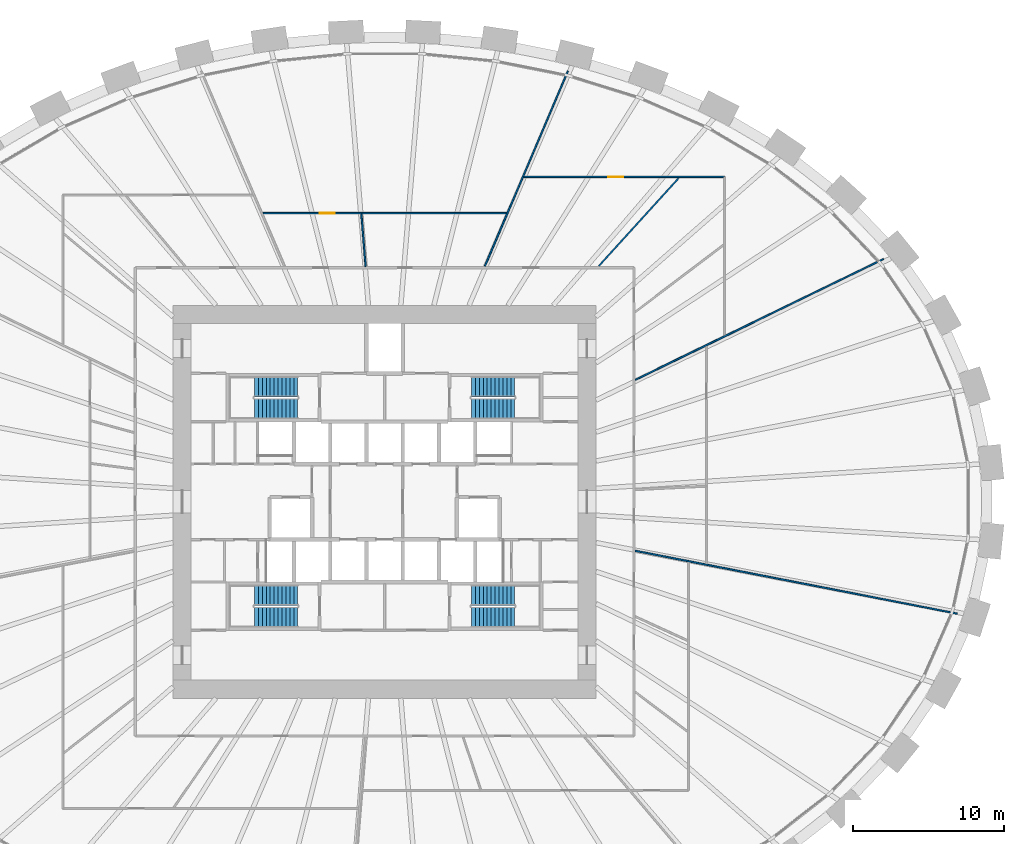
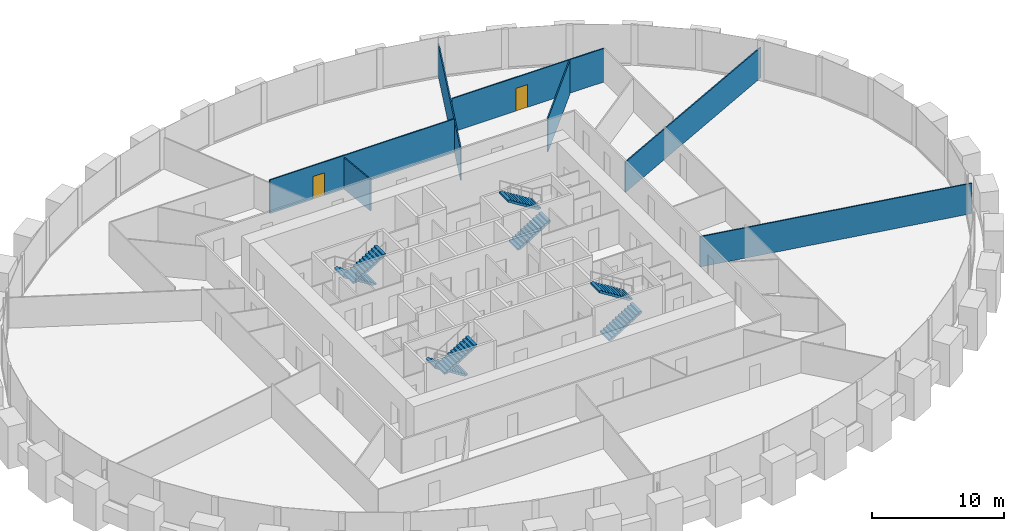
# One storey, part 10 of 11: 8 stair flights, 7 walls, 2 doors, 2 openings, 4 elements without a shape of their own.
"""IFC4 building model written with IfcOpenShell, lengths in metres."""

import ifcopenshell
import ifcopenshell.guid

model = None  # the IFC model being written
_history = None  # IfcOwnerHistory: only IFC2X3 demands one
_inside = {}  # id of a spatial element -> (the spatial element, [elements in it])
_under = {}  # id of a project, library or spatial element -> (it, [spatial elements below it])
_declared = {}  # id of a project -> (the project, [libraries it declares])
_typed = {}  # id of a type object -> (the type object, [elements of that type])
_made_of = {}  # id of a material, layer set ... -> (it, [elements and type objects made of it])


def new_model(schema):
    """Start an empty IFC model of exactly this schema.

    Asked for "IFC4X3", IfcOpenShell would pick the latest addendum, in which some entities
    have other attributes; the version numbers below select the first issue.
    IFC2X3 requires an IfcOwnerHistory on every rooted entity: one is made here for all.
    """
    global model, _history
    if schema == "IFC4X3":
        model = ifcopenshell.file(schema_version=(4, 3, 0, 0))
    else:
        model = ifcopenshell.file(schema=schema)
    _inside.clear()
    _under.clear()
    _declared.clear()
    _typed.clear()
    _made_of.clear()
    _history = None
    if model.schema == "IFC2X3":
        org = make("IfcOrganization", Name="unknown")
        user = make(
            "IfcPersonAndOrganization",
            ThePerson=make("IfcPerson", FamilyName="unknown"),
            TheOrganization=org,
        )
        app = make(
            "IfcApplication",
            ApplicationDeveloper=org,
            Version="unknown",
            ApplicationFullName="unknown",
            ApplicationIdentifier="unknown",
        )
        _history = make(
            "IfcOwnerHistory",
            OwningUser=user,
            OwningApplication=app,
            ChangeAction="ADDED",
            CreationDate=0,
        )
    return model


def make(cls, **values):
    """One entity of the class cls with the attributes given. An attribute that is None is left unset."""
    return model.create_entity(
        cls, **{name: value for name, value in values.items() if value is not None}
    )


def rooted(cls, **values):
    """An entity with a GlobalId (a new one), such as an element, a storey or a relation."""
    return make(cls, GlobalId=ifcopenshell.guid.new(), OwnerHistory=_history, **values)


def si_unit(unit_type, name, prefix=None):
    """IfcSIUnit, for example si_unit("LENGTHUNIT", "METRE", prefix="MILLI")."""
    return make("IfcSIUnit", UnitType=unit_type, Prefix=prefix, Name=name)


def assignment(units):
    """IfcUnitAssignment: the units of a project."""
    return None if units is None else make("IfcUnitAssignment", Units=units)


def point(xyz):
    """IfcCartesianPoint."""
    return None if xyz is None else make("IfcCartesianPoint", Coordinates=xyz)


def direction(xyz):
    """IfcDirection."""
    return None if xyz is None else make("IfcDirection", DirectionRatios=xyz)


def frame(location, z_axis=None, x_axis=None):
    """IfcAxis2Placement3D, a coordinate frame: its origin and axes. An axis left out is left unset."""
    return make(
        "IfcAxis2Placement3D",
        Location=point(location),
        Axis=direction(z_axis),
        RefDirection=direction(x_axis),
    )


def frame_2d(location, x_axis=None):
    """IfcAxis2Placement2D, a coordinate frame in the plane: its origin and x axis."""
    return make(
        "IfcAxis2Placement2D", Location=point(location), RefDirection=direction(x_axis)
    )


def origin():
    """The frame at (0, 0, 0) with its axes left unset."""
    return frame((0.0, 0.0, 0.0))


def place(relative_to, where):
    """IfcLocalPlacement: puts the frame where relative to a parent placement (None: the world)."""
    return make(
        "IfcLocalPlacement", PlacementRelTo=relative_to, RelativePlacement=where
    )


def context(
    kind, dimensions, precision=None, world=None, true_north=None, identifier=None
):
    """IfcGeometricRepresentationContext, for example the 3D "Model" context."""
    return make(
        "IfcGeometricRepresentationContext",
        ContextIdentifier=identifier,
        ContextType=kind,
        CoordinateSpaceDimension=dimensions,
        Precision=precision,
        WorldCoordinateSystem=world,
        TrueNorth=true_north,
    )


def subcontext(parent, identifier, kind, view, scale=None):
    """IfcGeometricRepresentationSubContext, for example "Body" below "Model"."""
    return make(
        "IfcGeometricRepresentationSubContext",
        ContextIdentifier=identifier,
        ContextType=kind,
        ParentContext=parent,
        TargetScale=scale,
        TargetView=view,
    )


def project(units=None, contexts=None):
    """IfcProject with its units and contexts."""
    return rooted(
        "IfcProject",
        Name="project",
        RepresentationContexts=contexts,
        UnitsInContext=assignment(units),
    )


def spatial(cls, under=None, at=None, **own):
    """A site, building, storey or space (cls), placed at a placement, below another one or the project."""
    s = rooted(cls, ObjectPlacement=at, **own)
    if under is not None:
        _under.setdefault(under.id(), (under, []))[1].append(s)
    return s


def polyline(points):
    """IfcPolyline through the points."""
    return make("IfcPolyline", Points=[point(p) for p in points])


def profile(cls, at=None, kind="AREA", **sizes):
    """A parametric profile (cls). Its sizes go by their IFC names, for example OverallWidth=200.0."""
    return make(cls, ProfileType=kind, Position=at, **sizes)


def rectangle(**sizes):
    """IfcRectangleProfileDef."""
    return profile("IfcRectangleProfileDef", **sizes)


def outline(outer, holes=None, kind="AREA"):
    """IfcArbitraryClosedProfileDef: a profile drawn as a closed curve; with holes, ...WithVoids."""
    if holes is None:
        return make("IfcArbitraryClosedProfileDef", ProfileType=kind, OuterCurve=outer)
    return make(
        "IfcArbitraryProfileDefWithVoids",
        ProfileType=kind,
        OuterCurve=outer,
        InnerCurves=holes,
    )


def extrude(swept, where, along, depth):
    """IfcExtrudedAreaSolid: the profile swept, set in the frame where, extruded along a direction by depth."""
    return make(
        "IfcExtrudedAreaSolid",
        SweptArea=swept,
        Position=where,
        ExtrudedDirection=direction(along),
        Depth=depth,
    )


def shape(context_of_items, identifier, shape_type, items):
    """IfcShapeRepresentation: the items that make up one representation, for example the "Body"."""
    return make(
        "IfcShapeRepresentation",
        ContextOfItems=context_of_items,
        RepresentationIdentifier=identifier,
        RepresentationType=shape_type,
        Items=items,
    )


def source(mapping_origin, context_of_items, identifier, shape_type, items):
    """IfcRepresentationMap: a shape defined once, which mapped items show again and again."""
    return make(
        "IfcRepresentationMap",
        MappingOrigin=mapping_origin,
        MappedRepresentation=shape(context_of_items, identifier, shape_type, items),
    )


def transform(
    local_origin,
    x_axis=None,
    y_axis=None,
    z_axis=None,
    scale=None,
    scale2=None,
    scale3=None,
    uniform=True,
):
    """IfcCartesianTransformationOperator3D, or its non-uniform kind. x_axis, y_axis, z_axis: its Axis1, 2, 3."""
    if uniform:
        return make(
            "IfcCartesianTransformationOperator3D",
            Axis1=direction(x_axis),
            Axis2=direction(y_axis),
            LocalOrigin=point(local_origin),
            Scale=scale,
            Axis3=direction(z_axis),
        )
    return make(
        "IfcCartesianTransformationOperator3DnonUniform",
        Axis1=direction(x_axis),
        Axis2=direction(y_axis),
        LocalOrigin=point(local_origin),
        Scale=scale,
        Axis3=direction(z_axis),
        Scale2=scale2,
        Scale3=scale3,
    )


def mapped(mapping_source, mapping_target):
    """IfcMappedItem: shows the shape of a source again, moved by a transform."""
    return make(
        "IfcMappedItem", MappingSource=mapping_source, MappingTarget=mapping_target
    )


def material(Name=None, Category=None):
    """IfcMaterial."""
    return make("IfcMaterial", Name=Name, Category=Category)


def layer(
    of_material, thickness, ventilated=None, Name=None, Category=None, Priority=None
):
    """IfcMaterialLayer: one layer of a wall or slab, of a material (None: an air gap)."""
    return make(
        "IfcMaterialLayer",
        Material=of_material,
        LayerThickness=thickness,
        IsVentilated=ventilated,
        Name=Name,
        Category=Category,
        Priority=Priority,
    )


def layer_set(layers, Name=None):
    """IfcMaterialLayerSet."""
    return make("IfcMaterialLayerSet", MaterialLayers=layers, LayerSetName=Name)


def made_of(thing, what):
    """Note that an element or type object is made of a material, layer set ...; save() writes the relation."""
    if what is not None:
        _made_of.setdefault(what.id(), (what, []))[1].append(thing)
    return thing


def type_object(cls, material=None, **own):
    """A type object (cls), such as IfcWallType, which elements share."""
    return made_of(rooted(cls, **own), material)


def element(
    cls,
    number,
    at=None,
    inside=None,
    cuts=None,
    type_object=None,
    material=None,
    context=None,
    identifier="Body",
    shape_type=None,
    held_by="IfcProductDefinitionShape",
    body=None,
    shapes=None,
    **own,
):
    """One element of the class cls, such as IfcWall. Its Tag is "e" and its number.

    at: its placement. inside: the storey or other place that contains it. cuts: it is an
    opening in that element (IfcRelVoidsElement). A single representation is given by context,
    identifier, shape_type and body (its items); several are given by shapes. held_by: the class
    of the entity that holds the representations. save() writes the other relations.
    """
    e = rooted(cls, Tag="e%d" % number, ObjectPlacement=at, **own)
    if body is not None:
        shapes = [shape(context, identifier, shape_type, body)]
    if shapes is not None:
        e.Representation = make(held_by, Representations=shapes)
    if inside is not None:
        _inside.setdefault(inside.id(), (inside, []))[1].append(e)
    if cuts is not None:
        rooted(
            "IfcRelVoidsElement", RelatingBuildingElement=cuts, RelatedOpeningElement=e
        )
    if type_object is not None:
        _typed.setdefault(type_object.id(), (type_object, []))[1].append(e)
    return made_of(e, material)


def fill(opening, filler):
    """IfcRelFillsElement: the door or window that sits in an opening."""
    return rooted(
        "IfcRelFillsElement",
        RelatingOpeningElement=opening,
        RelatedBuildingElement=filler,
    )


def aggregate(whole, parts):
    """IfcRelAggregates: a whole, such as a stair, and the parts it consists of."""
    return rooted("IfcRelAggregates", RelatingObject=whole, RelatedObjects=parts)


def save(model, path):
    """Write the relations noted so far, then the file.

    IfcRelAggregates (storeys below a building ...), IfcRelContainedInSpatialStructure (elements
    in a storey), IfcRelDefinesByType, IfcRelAssociatesMaterial and IfcRelDeclares: one each for
    every whole, place, type object, material and project.
    """
    for whole, parts in _under.values():
        aggregate(whole, parts)
    for where, things in _inside.values():
        rooted(
            "IfcRelContainedInSpatialStructure",
            RelatedElements=things,
            RelatingStructure=where,
        )
    for kind, things in _typed.values():
        rooted("IfcRelDefinesByType", RelatedObjects=things, RelatingType=kind)
    for what, things in _made_of.values():
        rooted("IfcRelAssociatesMaterial", RelatedObjects=things, RelatingMaterial=what)
    for by, libraries in _declared.values():
        rooted("IfcRelDeclares", RelatingContext=by, RelatedDefinitions=libraries)
    model.write(path)


model = new_model("IFC4")

# Units and contexts
model_context = context("Model", 3, precision=1e-05, world=origin(), true_north=direction((0.0, 1.0)))
body_context = subcontext(model_context, "Body", "Model", "MODEL_VIEW")
ifc_project = project(units=[si_unit("LENGTHUNIT", "METRE"), si_unit("AREAUNIT", "SQUARE_METRE"), si_unit("VOLUMEUNIT", "CUBIC_METRE"), si_unit("PLANEANGLEUNIT", "RADIAN"), si_unit("MASSUNIT", "GRAM", prefix="KILO")], contexts=[model_context])

# Site, building, storey
site_placement = place(None, origin())
site = spatial("IfcSite", under=ifc_project, at=site_placement, CompositionType="ELEMENT")
building_placement = place(site_placement, origin())
building = spatial("IfcBuilding", under=site, at=building_placement, Name="Embergate Tower", CompositionType="ELEMENT")
storey_placement = place(building_placement, frame((0.0, 0.0, 113.300048828125)))
storey = spatial("IfcBuildingStorey", under=building, at=storey_placement, Name="L24", CompositionType="ELEMENT", Elevation=113.300048828125)

# Walls
ifc_material_1 = material(Name="Partition dry-lined 100")
ifc_layer = layer(ifc_material_1, 0.10009765625)
ifc_layer_set = layer_set([ifc_layer], Name="Partition dry-lined 100")
wall_type = type_object("IfcWallType", Name="Partition dry-lined 100", PredefinedType="PARTITIONING", material=ifc_layer_set)
shared_shape_1 = source(origin(), body_context, "Body", "SweptSolid", [
    extrude(rectangle(XDim=21.7158203125, YDim=0.10009765625, at=frame_2d((10.85791015625, 0.0))), origin(), (0.0, 0.0, 1.0), 2.800048828125),
])
wall_1_placement = place(storey_placement, frame((37.89794921875, -7.403076171875, 0.0), z_axis=(0.0, 0.0, 1.0), x_axis=(-0.981452018893, 0.191707940917, 0.0)))
element("IfcWall", 1, at=wall_1_placement, inside=storey, type_object=wall_type, Name="IP-1 wall", PredefinedType="PARTITIONING", context=body_context, shape_type="MappedRepresentation", body=[
    mapped(shared_shape_1, transform((0.0, 0.0, 0.0))),
])
shared_shape_2 = source(origin(), body_context, "Body", "SweptSolid", [
    extrude(rectangle(XDim=18.260986328125, YDim=0.10009765625, at=frame_2d((9.13037109375, 0.0))), origin(), (0.0, 0.0, 1.0), 2.800048828125),
])
wall_2_placement = place(storey_placement, frame((33.01611328125, 16.070068359375, 0.0), z_axis=(0.0, 0.0, 1.0), x_axis=(-0.89913869284, -0.437663810519, 0.0)))
element("IfcWall", 2, at=wall_2_placement, inside=storey, type_object=wall_type, Name="IP-1 wall", PredefinedType="PARTITIONING", context=body_context, shape_type="MappedRepresentation", body=[
    mapped(shared_shape_2, transform((0.0, 0.0, 0.0))),
])
shared_shape_3 = source(origin(), body_context, "Body", "SweptSolid", [
    extrude(rectangle(XDim=14.038818359375, YDim=0.10009765625, at=frame_2d((7.01953125, 0.0))), origin(), (0.0, 0.0, 1.0), 2.89990234375),
])
wall_3_placement = place(storey_placement, frame((6.635986328125, 15.594970703125, 0.0), z_axis=(0.0, 0.0, 1.0), x_axis=(0.391558923428, 0.920153035904, 0.0)))
element("IfcWall", 3, at=wall_3_placement, inside=storey, type_object=wall_type, Name="IP-1 wall", PredefinedType="PARTITIONING", context=body_context, shape_type="MappedRepresentation", body=[
    mapped(shared_shape_3, transform((0.0, 0.0, 0.0))),
])
shared_shape_4 = source(origin(), body_context, "Body", "SweptSolid", [
    extrude(rectangle(XDim=3.486328125, YDim=0.10009765625, at=frame_2d((1.7431640625, 0.0))), origin(), (0.0, 0.0, 1.0), 2.89990234375),
])
wall_4_placement = place(storey_placement, frame((-1.256103515625, 15.574951171875, 0.0), z_axis=(0.0, 0.0, 1.0), x_axis=(-0.080251771834, 0.996774625037, 0.0)))
element("IfcWall", 4, at=wall_4_placement, inside=storey, type_object=wall_type, Name="IP-1 wall", PredefinedType="PARTITIONING", context=body_context, shape_type="MappedRepresentation", body=[
    mapped(shared_shape_4, transform((0.0, 0.0, 0.0))),
])
shared_shape_5 = source(origin(), body_context, "Body", "SweptSolid", [
    extrude(rectangle(XDim=7.845947265625, YDim=0.10009765625, at=frame_2d((3.9228515625, 0.0))), origin(), (0.0, 0.0, 1.0), 3.099853515625),
])
wall_5_placement = place(storey_placement, frame((14.178955078125, 15.60888671875, 0.0), z_axis=(0.0, 0.0, 1.0), x_axis=(0.672457484785, 0.740135751844, 0.0)))
element("IfcWall", 5, at=wall_5_placement, inside=storey, type_object=wall_type, Name="IP-1 wall", PredefinedType="PARTITIONING", context=body_context, shape_type="MappedRepresentation", body=[
    mapped(shared_shape_5, transform((0.0, 0.0, 0.0))),
])

# Wall, opening, door
shared_shape_6 = source(origin(), body_context, "Body", "SweptSolid", [
    extrude(rectangle(XDim=13.27490234375, YDim=0.10009765625, at=frame_2d((6.637451171875, 0.0))), origin(), (0.0, 0.0, 1.0), 3.099853515625),
])
wall_6_placement = place(storey_placement, frame((9.22509765625, 21.5, 0.0), z_axis=(0.0, 0.0, 1.0), x_axis=(1.0, 0.0, 0.0)))
wall_6 = element("IfcWall", 6, at=wall_6_placement, inside=storey, type_object=wall_type, Name="IP-1 wall", PredefinedType="PARTITIONING", context=body_context, shape_type="MappedRepresentation", body=[
    mapped(shared_shape_6, transform((0.0, 0.0, 0.0))),
])
shared_shape_7 = source(origin(), body_context, "Body", "SweptSolid", [
    extrude(rectangle(XDim=1.0, YDim=2.10009765625, at=frame_2d((0.5, 1.050048828125))), frame((0.0, 0.06005859375, 0.0), z_axis=(0.0, -1.0, 0.0), x_axis=(1.0, 0.0, 0.0)), (0.0, 0.0, 1.0), 0.1201171875),
])
opening_1_placement = place(wall_6_placement, frame((5.581298828125, 0.0, 0.0)))
opening_1 = element("IfcOpeningElement", 7, at=opening_1_placement, cuts=wall_6, Name="Opening ID-2", PredefinedType="OPENING", context=body_context, shape_type="MappedRepresentation", body=[
    mapped(shared_shape_7, transform((0.0, 0.0, 0.0))),
])
ifc_material_2 = material(Name="Interior door 1000")
door_type = type_object("IfcDoorType", Name="Interior door 1000", OperationType="SINGLE_SWING_LEFT", PredefinedType="DOOR", material=ifc_material_2)
shared_shape_8 = source(origin(), body_context, "Body", "SweptSolid", [
    extrude(rectangle(XDim=1.0, YDim=2.10009765625, at=frame_2d((0.5, 1.050048828125))), frame((0.0, 0.02490234375, 0.0), z_axis=(0.0, -1.0, 0.0), x_axis=(1.0, 0.0, 0.0)), (0.0, 0.0, 1.0), 0.050048828125),
])
door_1_placement = place(opening_1_placement, origin())
door_1 = element("IfcDoor", 8, at=door_1_placement, inside=storey, type_object=door_type, Name="ID-2 door", OperationType="SINGLE_SWING_LEFT", OverallHeight=2.10009765625, OverallWidth=1.0, PredefinedType="DOOR", context=body_context, shape_type="MappedRepresentation", body=[
    mapped(shared_shape_8, transform((0.0, 0.0, 0.0))),
])
fill(opening_1, door_1)

shared_shape_9 = source(origin(), body_context, "Body", "SweptSolid", [
    extrude(rectangle(XDim=16.10400390625, YDim=0.10009765625, at=frame_2d((8.052001953125, 0.0))), origin(), (0.0, 0.0, 1.0), 3.099853515625),
])
wall_7_placement = place(storey_placement, frame((-8.052001953125, 19.10009765625, 0.0), z_axis=(0.0, 0.0, 1.0), x_axis=(1.0, 0.0, 0.0)))
wall_7 = element("IfcWall", 9, at=wall_7_placement, inside=storey, type_object=wall_type, Name="IP-1 wall", PredefinedType="PARTITIONING", context=body_context, shape_type="MappedRepresentation", body=[
    mapped(shared_shape_9, transform((0.0, 0.0, 0.0))),
])
opening_2_placement = place(wall_7_placement, frame((3.76513671875, 0.0, 0.0)))
opening_2 = element("IfcOpeningElement", 10, at=opening_2_placement, cuts=wall_7, Name="Opening ID-2", PredefinedType="OPENING", context=body_context, shape_type="MappedRepresentation", body=[
    mapped(shared_shape_7, transform((0.0, 0.0, 0.0))),
])
door_2_placement = place(opening_2_placement, origin())
door_2 = element("IfcDoor", 11, at=door_2_placement, inside=storey, type_object=door_type, Name="ID-2 door", OperationType="SINGLE_SWING_RIGHT", OverallHeight=2.10009765625, OverallWidth=1.0, PredefinedType="DOOR", context=body_context, shape_type="MappedRepresentation", body=[
    mapped(shared_shape_8, transform((0.0, 0.0, 0.0))),
])
fill(opening_2, door_2)

# Stair, stair flights
ifc_material_3 = material(Name="Exit stair")
stair_type = type_object("IfcStairType", Name="Exit stair", PredefinedType="HALF_TURN_STAIR", material=ifc_material_3)
stair_1_placement = place(storey_placement, origin())
stair_1 = element("IfcStair", 12, at=stair_1_placement, inside=storey, type_object=stair_type, Name="L24 Exit stair 1", PredefinedType="HALF_TURN_STAIR")
ifc_material_4 = material(Name="Concrete C40", Category="concrete")
stair_flight_type = type_object("IfcStairFlightType", Name="Stair flight reinforced concrete", PredefinedType="STRAIGHT", material=ifc_material_4)
shared_shape_10 = source(origin(), body_context, "Body", "SweptSolid", [
    extrude(outline(polyline([(0.0, 0.0), (0.0, 0.16259765625), (0.260009765625, 0.16259765625), (0.260009765625, 0.324951171875), (0.52001953125, 0.324951171875), (0.52001953125, 0.487548828125), (0.780029296875, 0.487548828125), (0.780029296875, 0.64990234375), (1.0400390625, 0.64990234375), (1.0400390625, 0.8125), (1.300048828125, 0.8125), (1.300048828125, 0.97509765625), (1.56005859375, 0.97509765625), (1.56005859375, 1.137451171875), (1.820068359375, 1.137451171875), (1.820068359375, 1.300048828125), (2.080078125, 1.300048828125), (2.080078125, 1.46240234375), (2.340087890625, 1.46240234375), (2.340087890625, 1.625), (2.60009765625, 1.625), (2.60009765625, 1.78759765625), (2.860107421875, 1.78759765625), (2.860107421875, 1.949951171875), (2.860107421875, 1.61083984375), (0.28271484375, 0.0), (0.0, 0.0)])), frame((0.0, 0.675048828125, 0.0), z_axis=(0.0, -1.0, 0.0), x_axis=(1.0, 0.0, 0.0)), (0.0, 0.0, 1.0), 1.35009765625),
])
stair_flight_1_placement = place(storey_placement, frame((-5.75, 7.625, 0.0), z_axis=(0.0, 0.0, 1.0), x_axis=(-1.0, 0.0, 0.0)))
stair_flight_1 = element("IfcStairFlight", 13, at=stair_flight_1_placement, type_object=stair_flight_type, Name="ST1 flight 1", NumberOfRisers=12, NumberOfTreads=11, PredefinedType="STRAIGHT", RiserHeight=0.1625, TreadLength=0.26, context=body_context, shape_type="MappedRepresentation", body=[
    mapped(shared_shape_10, transform((0.0, 0.0, 0.0))),
])
stair_flight_2_placement = place(storey_placement, frame((-8.610107421875, 6.175048828125, 1.949951171875), z_axis=(0.0, 0.0, 1.0), x_axis=(1.0, 0.0, 0.0)))
stair_flight_2 = element("IfcStairFlight", 14, at=stair_flight_2_placement, type_object=stair_flight_type, Name="ST1 flight 2", NumberOfRisers=12, NumberOfTreads=11, PredefinedType="STRAIGHT", RiserHeight=0.1625, TreadLength=0.26, context=body_context, shape_type="MappedRepresentation", body=[
    mapped(shared_shape_10, transform((0.0, 0.0, 0.0))),
])
aggregate(stair_1, [stair_flight_1, stair_flight_2])

stair_2_placement = place(storey_placement, origin())
stair_2 = element("IfcStair", 15, at=stair_2_placement, inside=storey, type_object=stair_type, Name="L24 Exit stair 2", PredefinedType="HALF_TURN_STAIR")
stair_flight_3_placement = place(storey_placement, frame((5.75, 6.175048828125, 0.0), z_axis=(0.0, 0.0, 1.0), x_axis=(1.0, 0.0, 0.0)))
stair_flight_3 = element("IfcStairFlight", 16, at=stair_flight_3_placement, type_object=stair_flight_type, Name="ST2 flight 1", NumberOfRisers=12, NumberOfTreads=11, PredefinedType="STRAIGHT", RiserHeight=0.1625, TreadLength=0.26, context=body_context, shape_type="MappedRepresentation", body=[
    mapped(shared_shape_10, transform((0.0, 0.0, 0.0))),
])
stair_flight_4_placement = place(storey_placement, frame((8.610107421875, 7.625, 1.949951171875), z_axis=(0.0, 0.0, 1.0), x_axis=(-1.0, 0.0, 0.0)))
stair_flight_4 = element("IfcStairFlight", 17, at=stair_flight_4_placement, type_object=stair_flight_type, Name="ST2 flight 2", NumberOfRisers=12, NumberOfTreads=11, PredefinedType="STRAIGHT", RiserHeight=0.1625, TreadLength=0.26, context=body_context, shape_type="MappedRepresentation", body=[
    mapped(shared_shape_10, transform((0.0, 0.0, 0.0))),
])
aggregate(stair_2, [stair_flight_3, stair_flight_4])

stair_3_placement = place(storey_placement, origin())
stair_3 = element("IfcStair", 18, at=stair_3_placement, inside=storey, type_object=stair_type, Name="L24 Exit stair 3", PredefinedType="HALF_TURN_STAIR")
stair_flight_5_placement = place(storey_placement, frame((-5.75, -6.175048828125, 0.0), z_axis=(0.0, 0.0, 1.0), x_axis=(-1.0, 0.0, 0.0)))
stair_flight_5 = element("IfcStairFlight", 19, at=stair_flight_5_placement, type_object=stair_flight_type, Name="ST3 flight 1", NumberOfRisers=12, NumberOfTreads=11, PredefinedType="STRAIGHT", RiserHeight=0.1625, TreadLength=0.26, context=body_context, shape_type="MappedRepresentation", body=[
    mapped(shared_shape_10, transform((0.0, 0.0, 0.0))),
])
stair_flight_6_placement = place(storey_placement, frame((-8.610107421875, -7.625, 1.949951171875), z_axis=(0.0, 0.0, 1.0), x_axis=(1.0, 0.0, 0.0)))
stair_flight_6 = element("IfcStairFlight", 20, at=stair_flight_6_placement, type_object=stair_flight_type, Name="ST3 flight 2", NumberOfRisers=12, NumberOfTreads=11, PredefinedType="STRAIGHT", RiserHeight=0.1625, TreadLength=0.26, context=body_context, shape_type="MappedRepresentation", body=[
    mapped(shared_shape_10, transform((0.0, 0.0, 0.0))),
])
aggregate(stair_3, [stair_flight_5, stair_flight_6])

stair_4_placement = place(storey_placement, origin())
stair_4 = element("IfcStair", 21, at=stair_4_placement, inside=storey, type_object=stair_type, Name="L24 Exit stair 4", PredefinedType="HALF_TURN_STAIR")
stair_flight_7_placement = place(storey_placement, frame((5.75, -7.625, 0.0), z_axis=(0.0, 0.0, 1.0), x_axis=(1.0, 0.0, 0.0)))
stair_flight_7 = element("IfcStairFlight", 22, at=stair_flight_7_placement, type_object=stair_flight_type, Name="ST4 flight 1", NumberOfRisers=12, NumberOfTreads=11, PredefinedType="STRAIGHT", RiserHeight=0.1625, TreadLength=0.26, context=body_context, shape_type="MappedRepresentation", body=[
    mapped(shared_shape_10, transform((0.0, 0.0, 0.0))),
])
stair_flight_8_placement = place(storey_placement, frame((8.610107421875, -6.175048828125, 1.949951171875), z_axis=(0.0, 0.0, 1.0), x_axis=(-1.0, 0.0, 0.0)))
stair_flight_8 = element("IfcStairFlight", 23, at=stair_flight_8_placement, type_object=stair_flight_type, Name="ST4 flight 2", NumberOfRisers=12, NumberOfTreads=11, PredefinedType="STRAIGHT", RiserHeight=0.1625, TreadLength=0.26, context=body_context, shape_type="MappedRepresentation", body=[
    mapped(shared_shape_10, transform((0.0, 0.0, 0.0))),
])
aggregate(stair_4, [stair_flight_7, stair_flight_8])

save(model, "model.ifc")
